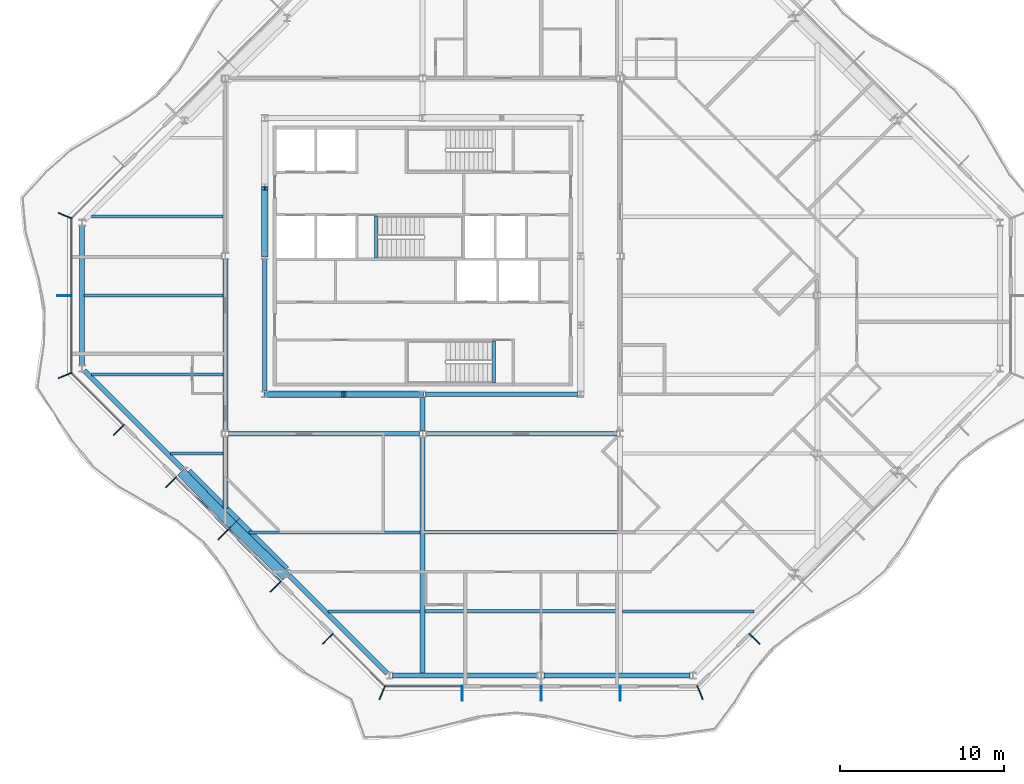
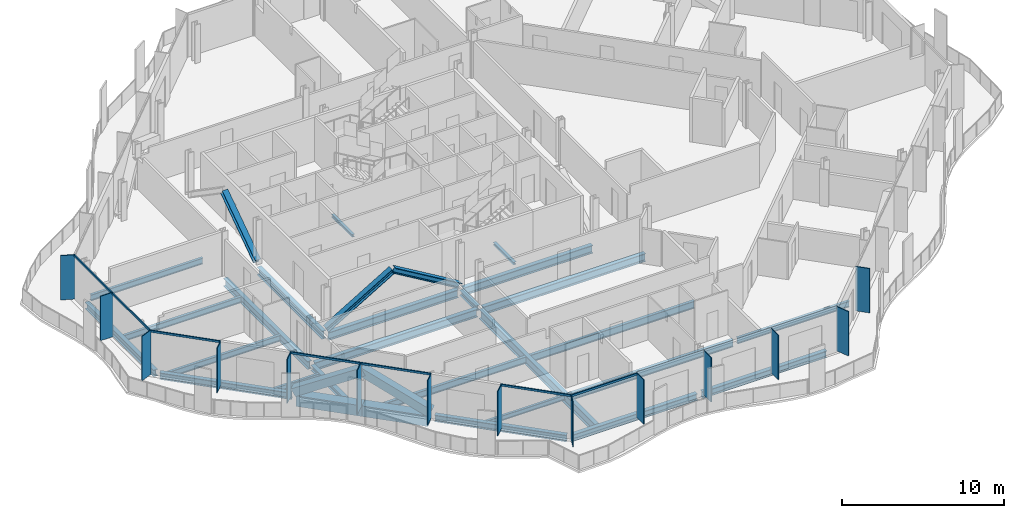
# One storey, part 3 of 17: 27 beams, 26 members, 4 elements without a shape of their own.
"""IFC4 building model written with IfcOpenShell, lengths in metres."""

from ifc_helpers import new_model, si_unit, direction, frame, origin, origin_2d, place, context, subcontext, project, spatial, rectangle, hollow_rectangle, i_section, extrude, material, material_profile, profile_set, type_object, element, aggregate, save


model = new_model("IFC4")

# Units and contexts
model_context = context("Model", 3, precision=1e-05, world=origin(), true_north=direction((0.0, 1.0)))
body_context = subcontext(model_context, "Body", "Model", "MODEL_VIEW")
ifc_project = project(units=[si_unit("LENGTHUNIT", "METRE"), si_unit("AREAUNIT", "SQUARE_METRE"), si_unit("VOLUMEUNIT", "CUBIC_METRE"), si_unit("PLANEANGLEUNIT", "RADIAN"), si_unit("MASSUNIT", "GRAM", prefix="KILO")], contexts=[model_context])

# Site, building, storey
site_placement = place(None, origin())
site = spatial("IfcSite", under=ifc_project, at=site_placement, CompositionType="ELEMENT")
building_placement = place(site_placement, origin())
building = spatial("IfcBuilding", under=site, at=building_placement, Name="Cairn Pilgrim Tower", CompositionType="ELEMENT")
storey_placement = place(building_placement, frame((0.0, 0.0, 257.39990234375)))
storey = spatial("IfcBuildingStorey", under=building, at=storey_placement, Name="L66", CompositionType="ELEMENT", Elevation=257.39990234375)

# Members
ifc_material_1 = material(Name="Structural steel S460M", Category="steel")
ifc_material_profile_1 = material_profile(ifc_material_1, hollow_rectangle(XDim=0.60009765625, YDim=0.60009765625, WallThickness=0.034912109375, at=origin_2d()), Name="BOX 600x600x35")
ifc_profile_set_1 = profile_set([ifc_material_profile_1], Name="Structural steel S460M")
member_type_1 = type_object("IfcMemberType", Name="BOX 600x600x35 BRACE", PredefinedType="BRACE", material=ifc_profile_set_1)
member_1_placement = place(storey_placement, frame((-7.394775390625, -10.813232421875, 0.150146484375), z_axis=(0.612826442302, -0.631177393557, 0.475456464335), x_axis=(0.717459625139, 0.696600090652, 0.0)))
element("IfcMember", 1, at=member_1_placement, inside=storey, type_object=member_type_1, Name="XB-SW2-SW3-1", PredefinedType="BRACE", context=body_context, shape_type="SweptSolid", body=[
    extrude(hollow_rectangle(XDim=0.60009765625, YDim=0.60009765625, WallThickness=0.034912109375, at=origin_2d()), origin(), (0.0, 0.0, 1.0), 5.1220703125),
])
member_2_placement = place(storey_placement, frame((-1.213134765625, -16.99462890625, 0.150146484375), z_axis=(-0.6311958305, 0.612796677006, 0.475470352608), x_axis=(-0.696572199695, -0.717486704136, 0.0)))
element("IfcMember", 2, at=member_2_placement, inside=storey, type_object=member_type_1, Name="XB-SW2-SW3-2", PredefinedType="BRACE", context=body_context, shape_type="SweptSolid", body=[
    extrude(hollow_rectangle(XDim=0.60009765625, YDim=0.60009765625, WallThickness=0.034912109375, at=origin_2d()), origin(), (0.0, 0.0, 1.0), 5.121826171875),
])

# Beams
ifc_material_2 = material(Name="Structural steel S355J2", Category="steel")
ifc_material_profile_2 = material_profile(ifc_material_2, hollow_rectangle(XDim=0.699951171875, YDim=0.800048828125, WallThickness=0.0400390625, at=origin_2d()), Name="BOX 700x800x40")
ifc_profile_set_2 = profile_set([ifc_material_profile_2], Name="Structural steel S355J2")
beam_type_1 = type_object("IfcBeamType", Name="BOX 700x800x40 RING GIRDER", PredefinedType="SPANDREL", material=ifc_profile_set_2)
for number, where, z_axis, x_axis, name in (
    (3, (-7.147216796875, -10.780029296875, -0.5498046875), (0.707106781187, -0.707106781187, 0.0), (0.707106781187, 0.707106781187, 0.0), "RG3-SW2-SW3-1"),
    (4, (-4.16357421875, -13.763671875, -0.5498046875), (0.707106781187, -0.707106781187, 0.0), (0.707106781187, 0.707106781187, 0.0), "RG3-SW2-SW3-2"),
):
    element("IfcBeam", number, at=place(storey_placement, frame(where, z_axis=z_axis, x_axis=x_axis)), inside=storey, type_object=beam_type_1, Name=name, PredefinedType="SPANDREL", context=body_context, shape_type="SweptSolid", body=[
        extrude(hollow_rectangle(XDim=0.699951171875, YDim=0.800048828125, WallThickness=0.0400390625, at=origin_2d()), origin(), (0.0, 0.0, 1.0), 4.219482421875),
    ])

# Curtain wall, members
ifc_material_3 = material(Name="Aluminium alloy 6063-T6 bronze anodised with Bronze tinted laminated low-E glass 8+16+8.8", Category="aluminium")
curtain_wall_type_1 = type_object("IfcCurtainWallType", Name="TOWER STICK CURTAIN WALL NS", PredefinedType="NOTDEFINED", material=ifc_material_3)
curtain_wall_1_placement = place(storey_placement, origin())
curtain_wall_1 = element("IfcCurtainWall", 5, at=curtain_wall_1_placement, inside=storey, type_object=curtain_wall_type_1, Name="Tower Stick Curtain Wall Ns S", PredefinedType="NOTDEFINED")
ifc_material_4 = material(Name="Aluminium alloy 6063-T6 bronze anodised", Category="aluminium")
ifc_material_profile_3 = material_profile(ifc_material_4, rectangle(XDim=0.89990234375, YDim=0.06005859375, at=origin_2d()), Name="FIN MULLION 60x900 BRONZE")
ifc_profile_set_3 = profile_set([ifc_material_profile_3], Name="Aluminium alloy 6063-T6 bronze anodised")
member_type_2 = type_object("IfcMemberType", Name="FIN MULLION 60x900 BRONZE", PredefinedType="MULLION", material=ifc_profile_set_3)
member_3_placement = place(storey_placement, frame((4.742919921875, -24.137939453125, 0.0), z_axis=(0.0, 0.0, 1.0), x_axis=(-0.382683432365, -0.923879532511, 0.0)))
member_3 = element("IfcMember", 6, at=member_3_placement, type_object=member_type_2, Name="Fin mullion S1", PredefinedType="MULLION", context=body_context, shape_type="SweptSolid", body=[
    extrude(rectangle(XDim=0.89990234375, YDim=0.06005859375, at=origin_2d()), origin(), (0.0, 0.0, 1.0), 3.35009765625),
])
member_4_placement = place(storey_placement, frame((9.60009765625, -24.169921875, 0.0), z_axis=(0.0, 0.0, 1.0), x_axis=(0.0, -1.0, 0.0)))
member_4 = element("IfcMember", 7, at=member_4_placement, type_object=member_type_2, Name="Fin mullion S2", PredefinedType="MULLION", context=body_context, shape_type="SweptSolid", body=[
    extrude(rectangle(XDim=0.89990234375, YDim=0.06005859375, at=origin_2d()), origin(), (0.0, 0.0, 1.0), 3.35009765625),
])
member_5_placement = place(storey_placement, frame((14.39990234375, -24.169921875, 0.0), z_axis=(0.0, 0.0, 1.0), x_axis=(0.0, -1.0, 0.0)))
member_5 = element("IfcMember", 8, at=member_5_placement, type_object=member_type_2, Name="Fin mullion S3", PredefinedType="MULLION", context=body_context, shape_type="SweptSolid", body=[
    extrude(rectangle(XDim=0.89990234375, YDim=0.06005859375, at=origin_2d()), origin(), (0.0, 0.0, 1.0), 3.35009765625),
])
member_6_placement = place(storey_placement, frame((19.199951171875, -24.169921875, 0.0), z_axis=(0.0, 0.0, 1.0), x_axis=(0.0, -1.0, 0.0)))
member_6 = element("IfcMember", 9, at=member_6_placement, type_object=member_type_2, Name="Fin mullion S4", PredefinedType="MULLION", context=body_context, shape_type="SweptSolid", body=[
    extrude(rectangle(XDim=0.89990234375, YDim=0.06005859375, at=origin_2d()), origin(), (0.0, 0.0, 1.0), 3.35009765625),
])

curtain_wall_type_2 = type_object("IfcCurtainWallType", Name="CHAMFER CORNER CURTAIN WALL", PredefinedType="NOTDEFINED", material=ifc_material_3)
curtain_wall_2_placement = place(storey_placement, origin())
curtain_wall_2 = element("IfcCurtainWall", 10, at=curtain_wall_2_placement, inside=storey, type_object=curtain_wall_type_2, Name="Chamfer Corner Curtain Wall SE", PredefinedType="NOTDEFINED")
member_7_placement = place(storey_placement, frame((24.05712890625, -24.137939453125, 0.0), z_axis=(0.0, 0.0, 1.0), x_axis=(0.382683432365, -0.923879532511, 0.0)))
member_7 = element("IfcMember", 11, at=member_7_placement, type_object=member_type_2, Name="Fin mullion SE1", PredefinedType="MULLION", context=body_context, shape_type="SweptSolid", body=[
    extrude(rectangle(XDim=0.89990234375, YDim=0.06005859375, at=origin_2d()), origin(), (0.0, 0.0, 1.0), 3.35009765625),
])
member_8_placement = place(storey_placement, frame((27.369140625, -20.871337890625, 0.0), z_axis=(0.0, 0.0, 1.0), x_axis=(0.707106781187, -0.707106781187, 0.0)))
member_8 = element("IfcMember", 12, at=member_8_placement, type_object=member_type_2, Name="Fin mullion SE2", PredefinedType="MULLION", context=body_context, shape_type="SweptSolid", body=[
    extrude(rectangle(XDim=0.89990234375, YDim=0.06005859375, at=origin_2d()), origin(), (0.0, 0.0, 1.0), 3.35009765625),
])
aggregate(curtain_wall_2, [member_7, member_8])

curtain_wall_type_3 = type_object("IfcCurtainWallType", Name="TOWER STICK CURTAIN WALL EW", PredefinedType="NOTDEFINED", material=ifc_material_3)
curtain_wall_3_placement = place(storey_placement, origin())
curtain_wall_3 = element("IfcCurtainWall", 13, at=curtain_wall_3_placement, inside=storey, type_object=curtain_wall_type_3, Name="Tower Stick Curtain Wall Ew W", PredefinedType="NOTDEFINED")
member_9_placement = place(storey_placement, frame((-14.5380859375, 4.857177734375, 0.0), z_axis=(0.0, 0.0, 1.0), x_axis=(-0.923879532511, 0.382683432365, 0.0)))
member_9 = element("IfcMember", 14, at=member_9_placement, type_object=member_type_2, Name="Fin mullion W1", PredefinedType="MULLION", context=body_context, shape_type="SweptSolid", body=[
    extrude(rectangle(XDim=0.89990234375, YDim=0.06005859375, at=origin_2d()), origin(), (0.0, 0.0, 1.0), 3.35009765625),
])
member_10_placement = place(storey_placement, frame((-14.570068359375, 0.0, 0.0), z_axis=(0.0, 0.0, 1.0), x_axis=(-1.0, 0.0, 0.0)))
member_10 = element("IfcMember", 15, at=member_10_placement, type_object=member_type_2, Name="Fin mullion W2", PredefinedType="MULLION", context=body_context, shape_type="SweptSolid", body=[
    extrude(rectangle(XDim=0.89990234375, YDim=0.06005859375, at=origin_2d()), origin(), (0.0, 0.0, 1.0), 3.35009765625),
])

curtain_wall_4_placement = place(storey_placement, origin())
curtain_wall_4 = element("IfcCurtainWall", 16, at=curtain_wall_4_placement, inside=storey, type_object=curtain_wall_type_2, Name="Chamfer Corner Curtain Wall SW", PredefinedType="NOTDEFINED")
member_11_placement = place(storey_placement, frame((-14.5380859375, -4.857177734375, 0.0), z_axis=(0.0, 0.0, 1.0), x_axis=(-0.923879532511, -0.382683432365, 0.0)))
member_11 = element("IfcMember", 17, at=member_11_placement, type_object=member_type_2, Name="Fin mullion SW1", PredefinedType="MULLION", context=body_context, shape_type="SweptSolid", body=[
    extrude(rectangle(XDim=0.89990234375, YDim=0.06005859375, at=origin_2d()), origin(), (0.0, 0.0, 1.0), 3.35009765625),
])
member_12_placement = place(storey_placement, frame((-11.271484375, -8.1689453125, 0.0), z_axis=(0.0, 0.0, 1.0), x_axis=(-0.707106781187, -0.707106781187, 0.0)))
member_12 = element("IfcMember", 18, at=member_12_placement, type_object=member_type_2, Name="Fin mullion SW2", PredefinedType="MULLION", context=body_context, shape_type="SweptSolid", body=[
    extrude(rectangle(XDim=0.89990234375, YDim=0.06005859375, at=origin_2d()), origin(), (0.0, 0.0, 1.0), 3.35009765625),
])
member_13_placement = place(storey_placement, frame((-8.095703125, -11.3447265625, 0.0), z_axis=(0.0, 0.0, 1.0), x_axis=(-0.707106781187, -0.707106781187, 0.0)))
member_13 = element("IfcMember", 19, at=member_13_placement, type_object=member_type_2, Name="Fin mullion SW3", PredefinedType="MULLION", context=body_context, shape_type="SweptSolid", body=[
    extrude(rectangle(XDim=0.89990234375, YDim=0.06005859375, at=origin_2d()), origin(), (0.0, 0.0, 1.0), 3.35009765625),
])
member_14_placement = place(storey_placement, frame((-4.920166015625, -14.520263671875, 0.0), z_axis=(0.0, 0.0, 1.0), x_axis=(-0.707106781187, -0.707106781187, 0.0)))
member_14 = element("IfcMember", 20, at=member_14_placement, type_object=member_type_2, Name="Fin mullion SW4", PredefinedType="MULLION", context=body_context, shape_type="SweptSolid", body=[
    extrude(rectangle(XDim=0.89990234375, YDim=0.06005859375, at=origin_2d()), origin(), (0.0, 0.0, 1.0), 3.35009765625),
])
member_15_placement = place(storey_placement, frame((-1.74462890625, -17.69580078125, 0.0), z_axis=(0.0, 0.0, 1.0), x_axis=(-0.707106781187, -0.707106781187, 0.0)))
member_15 = element("IfcMember", 21, at=member_15_placement, type_object=member_type_2, Name="Fin mullion SW5", PredefinedType="MULLION", context=body_context, shape_type="SweptSolid", body=[
    extrude(rectangle(XDim=0.89990234375, YDim=0.06005859375, at=origin_2d()), origin(), (0.0, 0.0, 1.0), 3.35009765625),
])
member_16_placement = place(storey_placement, frame((1.430908203125, -20.871337890625, 0.0), z_axis=(0.0, 0.0, 1.0), x_axis=(-0.707106781187, -0.707106781187, 0.0)))
member_16 = element("IfcMember", 22, at=member_16_placement, type_object=member_type_2, Name="Fin mullion SW6", PredefinedType="MULLION", context=body_context, shape_type="SweptSolid", body=[
    extrude(rectangle(XDim=0.89990234375, YDim=0.06005859375, at=origin_2d()), origin(), (0.0, 0.0, 1.0), 3.35009765625),
])

# Members
ifc_material_profile_4 = material_profile(ifc_material_2, i_section(OverallWidth=0.39794921875, OverallDepth=0.386962890625, WebThickness=0.02099609375, FlangeThickness=0.033203125, FilletRadius=0.014892578125, at=origin_2d()), Name="HD 400x262")
ifc_profile_set_4 = profile_set([ifc_material_profile_4], Name="Structural steel S355J2")
member_type_3 = type_object("IfcMemberType", Name="HD 400x262 BRACE", PredefinedType="BRACE", material=ifc_profile_set_4)
for number, where, z_axis, x_axis, name in (
    (23, (-2.360107421875, -6.0, 0.10009765625), (0.859702744807, 0.0, 0.510794665763), (0.0, 1.0, 0.0), "KB-1A"),
    (24, (7.16015625, -6.0, 0.10009765625), (-0.859702744807, 0.0, 0.510794665763), (0.0, -1.0, 0.0), "KB-1B"),
):
    element("IfcMember", number, at=place(storey_placement, frame(where, z_axis=z_axis, x_axis=x_axis)), inside=storey, type_object=member_type_3, Name=name, PredefinedType="BRACE", context=body_context, shape_type="SweptSolid", body=[
        extrude(i_section(OverallWidth=0.39794921875, OverallDepth=0.386962890625, WebThickness=0.02099609375, FlangeThickness=0.033203125, FilletRadius=0.014892578125, at=origin_2d()), origin(), (0.0, 0.0, 1.0), 5.488037109375),
    ])
member_17_placement = place(storey_placement, frame((-2.39990234375, 2.439697265625, 0.10009765625), z_axis=(0.0, 0.824450211755, 0.565934491207), x_axis=(-1.0, 0.0, 0.0)))
element("IfcMember", 25, at=member_17_placement, inside=storey, type_object=member_type_3, Name="KB-4B", PredefinedType="BRACE", context=body_context, shape_type="SweptSolid", body=[
    extrude(i_section(OverallWidth=0.39794921875, OverallDepth=0.386962890625, WebThickness=0.02099609375, FlangeThickness=0.033203125, FilletRadius=0.014892578125, at=origin_2d()), origin(), (0.0, 0.0, 1.0), 4.952392578125),
])

# Beams
ifc_material_profile_5 = material_profile(ifc_material_2, i_section(OverallWidth=0.300048828125, OverallDepth=0.39990234375, WebThickness=0.013427734375, FlangeThickness=0.02392578125, FilletRadius=0.027099609375, at=origin_2d()), Name="HEB 400")
ifc_profile_set_5 = profile_set([ifc_material_profile_5], Name="Structural steel S355J2")
beam_type_2 = type_object("IfcBeamType", Name="HEB 400 GIRDER", PredefinedType="BEAM", material=ifc_profile_set_5)
beam_1_placement = place(storey_placement, frame((-4.800048828125, -12.945068359375, -0.349853515625), z_axis=(0.0, 1.0, 0.0), x_axis=(-1.0, 0.0, 0.0)))
element("IfcBeam", 26, at=beam_1_placement, inside=storey, type_object=beam_type_2, Name="PG2-1", PredefinedType="BEAM", context=body_context, shape_type="SweptSolid", body=[
    extrude(i_section(OverallWidth=0.300048828125, OverallDepth=0.39990234375, WebThickness=0.013427734375, FlangeThickness=0.02392578125, FilletRadius=0.027099609375, at=origin_2d()), origin(), (0.0, 0.0, 1.0), 4.34814453125),
])
beam_2_placement = place(storey_placement, frame((7.199951171875, -8.202880859375, -0.349853515625), z_axis=(0.0, 1.0, 0.0), x_axis=(-1.0, 0.0, 0.0)))
element("IfcBeam", 27, at=beam_2_placement, inside=storey, type_object=beam_type_2, Name="PG3-E1", PredefinedType="BEAM", context=body_context, shape_type="SweptSolid", body=[
    extrude(i_section(OverallWidth=0.300048828125, OverallDepth=0.39990234375, WebThickness=0.013427734375, FlangeThickness=0.02392578125, FilletRadius=0.027099609375, at=origin_2d()), origin(), (0.0, 0.0, 1.0), 2.00390625),
])
ifc_material_profile_6 = material_profile(ifc_material_2, i_section(OverallWidth=0.300048828125, OverallDepth=0.5, WebThickness=0.014404296875, FlangeThickness=0.028076171875, FilletRadius=0.027099609375, at=origin_2d()), Name="HEB 500")
ifc_profile_set_6 = profile_set([ifc_material_profile_6], Name="Structural steel S355J2")
beam_type_3 = type_object("IfcBeamType", Name="HEB 500 RING GIRDER", PredefinedType="SPANDREL", material=ifc_profile_set_6)
beam_3_placement = place(storey_placement, frame((5.3544921875, -23.10009765625, -0.39990234375), z_axis=(1.0, 0.0, 0.0), x_axis=(0.0, 1.0, 0.0)))
element("IfcBeam", 28, at=beam_3_placement, inside=storey, type_object=beam_type_3, Name="RG3-S1-S2", PredefinedType="SPANDREL", context=body_context, shape_type="SweptSolid", body=[
    extrude(i_section(OverallWidth=0.300048828125, OverallDepth=0.5, WebThickness=0.014404296875, FlangeThickness=0.028076171875, FilletRadius=0.027099609375, at=origin_2d()), origin(), (0.0, 0.0, 1.0), 8.86376953125),
])
beam_4_placement = place(storey_placement, frame((14.581787109375, -23.10009765625, -0.39990234375), z_axis=(1.0, 0.0, 0.0), x_axis=(0.0, 1.0, 0.0)))
element("IfcBeam", 29, at=beam_4_placement, inside=storey, type_object=beam_type_3, Name="RG3-S2-SE1", PredefinedType="SPANDREL", context=body_context, shape_type="SweptSolid", body=[
    extrude(i_section(OverallWidth=0.300048828125, OverallDepth=0.5, WebThickness=0.014404296875, FlangeThickness=0.028076171875, FilletRadius=0.027099609375, at=origin_2d()), origin(), (0.0, 0.0, 1.0), 8.863525390625),
])
beam_5_placement = place(storey_placement, frame((-13.5, 4.245361328125, -0.39990234375), z_axis=(0.0, -1.0, 0.0), x_axis=(1.0, 0.0, 0.0)))
element("IfcBeam", 30, at=beam_5_placement, inside=storey, type_object=beam_type_3, Name="RG3-W1-SW1", PredefinedType="SPANDREL", context=body_context, shape_type="SweptSolid", body=[
    extrude(i_section(OverallWidth=0.300048828125, OverallDepth=0.5, WebThickness=0.014404296875, FlangeThickness=0.028076171875, FilletRadius=0.027099609375, at=origin_2d()), origin(), (0.0, 0.0, 1.0), 8.49072265625),
])
for number, where, z_axis, x_axis, name in (
    (31, (-13.371337890625, -4.555908203125, -0.39990234375), (0.707106781187, -0.707106781187, 0.0), (0.707106781187, 0.707106781187, 0.0), "RG3-SW1-SW2"),
    (32, (-0.9228515625, -17.00439453125, -0.39990234375), (0.707106781187, -0.707106781187, 0.0), (0.707106781187, 0.707106781187, 0.0), "RG3-SW3-S1"),
):
    element("IfcBeam", number, at=place(storey_placement, frame(where, z_axis=z_axis, x_axis=x_axis)), inside=storey, type_object=beam_type_3, Name=name, PredefinedType="SPANDREL", context=body_context, shape_type="SweptSolid", body=[
        extrude(i_section(OverallWidth=0.300048828125, OverallDepth=0.5, WebThickness=0.014404296875, FlangeThickness=0.028076171875, FilletRadius=0.027099609375, at=origin_2d()), origin(), (0.0, 0.0, 1.0), 8.438720703125),
    ])
ifc_material_profile_7 = material_profile(ifc_material_2, i_section(OverallWidth=0.300048828125, OverallDepth=0.60009765625, WebThickness=0.015380859375, FlangeThickness=0.030029296875, FilletRadius=0.027099609375, at=origin_2d()), Name="HEB 600")
ifc_profile_set_7 = profile_set([ifc_material_profile_7], Name="Structural steel S355J2")
beam_type_4 = type_object("IfcBeamType", Name="HEB 600 CORE BEAM", PredefinedType="BEAM", material=ifc_profile_set_7)
beam_6_placement = place(storey_placement, frame((-2.220947265625, -6.0, -0.449951171875), z_axis=(1.0, 0.0, 0.0), x_axis=(0.0, 1.0, 0.0)))
element("IfcBeam", 33, at=beam_6_placement, inside=storey, type_object=beam_type_4, Name="CB-1", PredefinedType="BEAM", context=body_context, shape_type="SweptSolid", body=[
    extrude(i_section(OverallWidth=0.300048828125, OverallDepth=0.60009765625, WebThickness=0.015380859375, FlangeThickness=0.030029296875, FilletRadius=0.027099609375, at=origin_2d()), origin(), (0.0, 0.0, 1.0), 9.241943359375),
])
beam_7_placement = place(storey_placement, frame((7.379150390625, -6.0, -0.449951171875), z_axis=(1.0, 0.0, 0.0), x_axis=(0.0, 1.0, 0.0)))
element("IfcBeam", 34, at=beam_7_placement, inside=storey, type_object=beam_type_4, Name="CB-2", PredefinedType="BEAM", context=body_context, shape_type="SweptSolid", body=[
    extrude(i_section(OverallWidth=0.300048828125, OverallDepth=0.60009765625, WebThickness=0.015380859375, FlangeThickness=0.030029296875, FilletRadius=0.027099609375, at=origin_2d()), origin(), (0.0, 0.0, 1.0), 9.24169921875),
])
beam_8_placement = place(storey_placement, frame((-2.39990234375, 2.220947265625, -0.449951171875), z_axis=(0.0, -1.0, 0.0), x_axis=(1.0, 0.0, 0.0)))
element("IfcBeam", 35, at=beam_8_placement, inside=storey, type_object=beam_type_4, Name="CB-8", PredefinedType="BEAM", context=body_context, shape_type="SweptSolid", body=[
    extrude(i_section(OverallWidth=0.300048828125, OverallDepth=0.60009765625, WebThickness=0.015380859375, FlangeThickness=0.030029296875, FilletRadius=0.027099609375, at=origin_2d()), origin(), (0.0, 0.0, 1.0), 8.041748046875),
])
ifc_material_profile_8 = material_profile(ifc_material_2, i_section(OverallWidth=0.300048828125, OverallDepth=0.60009765625, WebThickness=0.015380859375, FlangeThickness=0.030029296875, FilletRadius=0.027099609375, at=origin_2d()), Name="HEB 600")
ifc_profile_set_8 = profile_set([ifc_material_profile_8], Name="Structural steel S355J2")
beam_type_5 = type_object("IfcBeamType", Name="HEB 600 GIRDER", PredefinedType="BEAM", material=ifc_profile_set_8)
beam_9_placement = place(storey_placement, frame((-4.800048828125, -8.202880859375, -0.449951171875), z_axis=(0.0, 1.0, 0.0), x_axis=(-1.0, 0.0, 0.0)))
element("IfcBeam", 36, at=beam_9_placement, inside=storey, type_object=beam_type_5, Name="PG2-2", PredefinedType="BEAM", context=body_context, shape_type="SweptSolid", body=[
    extrude(i_section(OverallWidth=0.300048828125, OverallDepth=0.60009765625, WebThickness=0.015380859375, FlangeThickness=0.030029296875, FilletRadius=0.027099609375, at=origin_2d()), origin(), (0.0, 0.0, 1.0), 10.40576171875),
])
ifc_material_profile_9 = material_profile(ifc_material_2, i_section(OverallWidth=0.300048828125, OverallDepth=0.60009765625, WebThickness=0.015380859375, FlangeThickness=0.030029296875, FilletRadius=0.027099609375, at=origin_2d()), Name="HEB 600")
ifc_profile_set_9 = profile_set([ifc_material_profile_9], Name="Structural steel S355J2")
beam_type_6 = type_object("IfcBeamType", Name="HEB 600 INNER GIRDER", PredefinedType="BEAM", material=ifc_profile_set_9)
for number, where, z_axis, x_axis, name in (
    (37, (-4.60302734375, -8.39990234375, -0.449951171875), (1.0, 0.0, 0.0), (0.0, 1.0, 0.0), "IG1-1"),
    (38, (7.39697265625, -8.39990234375, -0.449951171875), (1.0, 0.0, 0.0), (0.0, 1.0, 0.0), "IG1-2"),
):
    element("IfcBeam", number, at=place(storey_placement, frame(where, z_axis=z_axis, x_axis=x_axis)), inside=storey, type_object=beam_type_6, Name=name, PredefinedType="BEAM", context=body_context, shape_type="SweptSolid", body=[
        extrude(i_section(OverallWidth=0.300048828125, OverallDepth=0.60009765625, WebThickness=0.015380859375, FlangeThickness=0.030029296875, FilletRadius=0.027099609375, at=origin_2d()), origin(), (0.0, 0.0, 1.0), 11.60595703125),
    ])
ifc_material_profile_10 = material_profile(ifc_material_2, i_section(OverallWidth=0.300048828125, OverallDepth=0.699951171875, WebThickness=0.01708984375, FlangeThickness=0.031982421875, FilletRadius=0.027099609375, at=origin_2d()), Name="HEB 700")
ifc_profile_set_10 = profile_set([ifc_material_profile_10], Name="Structural steel S355J2")
beam_type_7 = type_object("IfcBeamType", Name="HEB 700 GIRDER", PredefinedType="BEAM", material=ifc_profile_set_10)
beam_10_placement = place(storey_placement, frame((7.199951171875, -22.97998046875, -0.5), z_axis=(0.0, 1.0, 0.0), x_axis=(-1.0, 0.0, 0.0)))
element("IfcBeam", 39, at=beam_10_placement, inside=storey, type_object=beam_type_7, Name="PG3-1", PredefinedType="BEAM", context=body_context, shape_type="SweptSolid", body=[
    extrude(i_section(OverallWidth=0.300048828125, OverallDepth=0.699951171875, WebThickness=0.01708984375, FlangeThickness=0.031982421875, FilletRadius=0.027099609375, at=origin_2d()), origin(), (0.0, 0.0, 1.0), 14.383056640625),
])
ifc_material_profile_11 = material_profile(ifc_material_2, i_section(OverallWidth=0.169921875, OverallDepth=0.360107421875, WebThickness=0.008056640625, FlangeThickness=0.0126953125, FilletRadius=0.01806640625, at=origin_2d()), Name="IPE 360")
ifc_profile_set_11 = profile_set([ifc_material_profile_11], Name="Structural steel S355J2")
beam_type_8 = type_object("IfcBeamType", Name="IPE 360 SECONDARY BEAM", PredefinedType="JOIST", material=ifc_profile_set_11)
beam_11_placement = place(storey_placement, frame((1.454833984375, -19.199951171875, -0.329833984375), z_axis=(1.0, 0.0, 0.0), x_axis=(0.0, 1.0, 0.0)))
element("IfcBeam", 40, at=beam_11_placement, inside=storey, type_object=beam_type_8, Name="SB1-1", PredefinedType="JOIST", context=body_context, shape_type="SweptSolid", body=[
    extrude(i_section(OverallWidth=0.169921875, OverallDepth=0.360107421875, WebThickness=0.008056640625, FlangeThickness=0.0126953125, FilletRadius=0.01806640625, at=origin_2d()), origin(), (0.0, 0.0, 1.0), 5.59521484375),
])
beam_12_placement = place(storey_placement, frame((-8.14501953125, -9.60009765625, -0.329833984375), z_axis=(1.0, 0.0, 0.0), x_axis=(0.0, 1.0, 0.0)))
element("IfcBeam", 41, at=beam_12_placement, inside=storey, type_object=beam_type_8, Name="SB3-1", PredefinedType="JOIST", context=body_context, shape_type="SweptSolid", body=[
    extrude(i_section(OverallWidth=0.169921875, OverallDepth=0.360107421875, WebThickness=0.008056640625, FlangeThickness=0.0126953125, FilletRadius=0.01806640625, at=origin_2d()), origin(), (0.0, 0.0, 1.0), 3.195068359375),
])
ifc_material_profile_12 = material_profile(ifc_material_2, i_section(OverallWidth=0.18994140625, OverallDepth=0.449951171875, WebThickness=0.009521484375, FlangeThickness=0.0146484375, FilletRadius=0.02099609375, at=origin_2d()), Name="IPE 450")
ifc_profile_set_12 = profile_set([ifc_material_profile_12], Name="Structural steel S355J2")
beam_type_9 = type_object("IfcBeamType", Name="IPE 450 SECONDARY BEAM", PredefinedType="JOIST", material=ifc_profile_set_12)
for number, where, z_axis, x_axis, name in (
    (42, (19.35009765625, -19.199951171875, -0.375), (1.0, 0.0, 0.0), (0.0, 1.0, 0.0), "SB1-3"),
    (43, (-12.945068359375, -4.800048828125, -0.375), (1.0, 0.0, 0.0), (0.0, 1.0, 0.0), "SB4-1"),
):
    element("IfcBeam", number, at=place(storey_placement, frame(where, z_axis=z_axis, x_axis=x_axis)), inside=storey, type_object=beam_type_9, Name=name, PredefinedType="JOIST", context=body_context, shape_type="SweptSolid", body=[
        extrude(i_section(OverallWidth=0.18994140625, OverallDepth=0.449951171875, WebThickness=0.009521484375, FlangeThickness=0.0146484375, FilletRadius=0.02099609375, at=origin_2d()), origin(), (0.0, 0.0, 1.0), 7.9951171875),
    ])
beam_13_placement = place(storey_placement, frame((-13.3798828125, 0.0, -0.375), z_axis=(1.0, 0.0, 0.0), x_axis=(0.0, 1.0, 0.0)))
element("IfcBeam", 44, at=beam_13_placement, inside=storey, type_object=beam_type_9, Name="SB5-1", PredefinedType="JOIST", context=body_context, shape_type="SweptSolid", body=[
    extrude(i_section(OverallWidth=0.18994140625, OverallDepth=0.449951171875, WebThickness=0.009521484375, FlangeThickness=0.0146484375, FilletRadius=0.02099609375, at=origin_2d()), origin(), (0.0, 0.0, 1.0), 8.429931640625),
])
beam_14_placement = place(storey_placement, frame((-12.945068359375, 4.800048828125, -0.375), z_axis=(1.0, 0.0, 0.0), x_axis=(0.0, 1.0, 0.0)))
element("IfcBeam", 45, at=beam_14_placement, inside=storey, type_object=beam_type_9, Name="SB6-1", PredefinedType="JOIST", context=body_context, shape_type="SweptSolid", body=[
    extrude(i_section(OverallWidth=0.18994140625, OverallDepth=0.449951171875, WebThickness=0.009521484375, FlangeThickness=0.0146484375, FilletRadius=0.02099609375, at=origin_2d()), origin(), (0.0, 0.0, 1.0), 7.9951171875),
])
ifc_material_profile_13 = material_profile(ifc_material_2, i_section(OverallWidth=0.199951171875, OverallDepth=0.5, WebThickness=0.01025390625, FlangeThickness=0.01611328125, FilletRadius=0.02099609375, at=origin_2d()), Name="IPE 500")
ifc_profile_set_13 = profile_set([ifc_material_profile_13], Name="Structural steel S355J2")
beam_type_10 = type_object("IfcBeamType", Name="IPE 500 SECONDARY BEAM", PredefinedType="JOIST", material=ifc_profile_set_13)
beam_15_placement = place(storey_placement, frame((-3.34521484375, -14.39990234375, -0.39990234375), z_axis=(1.0, 0.0, 0.0), x_axis=(0.0, 1.0, 0.0)))
element("IfcBeam", 46, at=beam_15_placement, inside=storey, type_object=beam_type_10, Name="SB2-1", PredefinedType="JOIST", context=body_context, shape_type="SweptSolid", body=[
    extrude(i_section(OverallWidth=0.199951171875, OverallDepth=0.5, WebThickness=0.01025390625, FlangeThickness=0.01611328125, FilletRadius=0.02099609375, at=origin_2d()), origin(), (0.0, 0.0, 1.0), 10.395263671875),
])
ifc_material_profile_14 = material_profile(ifc_material_2, i_section(OverallWidth=0.2099609375, OverallDepth=0.550048828125, WebThickness=0.010986328125, FlangeThickness=0.01708984375, FilletRadius=0.02392578125, at=origin_2d()), Name="IPE 550")
ifc_profile_set_14 = profile_set([ifc_material_profile_14], Name="Structural steel S355J2")
beam_type_11 = type_object("IfcBeamType", Name="IPE 550 SECONDARY BEAM", PredefinedType="JOIST", material=ifc_profile_set_14)
for number, where, z_axis, x_axis, name in (
    (47, (7.35009765625, -19.199951171875, -0.4248046875), (1.0, 0.0, 0.0), (0.0, 1.0, 0.0), "SB1-2"),
    (48, (7.35009765625, -14.39990234375, -0.4248046875), (1.0, 0.0, 0.0), (0.0, 1.0, 0.0), "SB2-2"),
):
    element("IfcBeam", number, at=place(storey_placement, frame(where, z_axis=z_axis, x_axis=x_axis)), inside=storey, type_object=beam_type_11, Name=name, PredefinedType="JOIST", context=body_context, shape_type="SweptSolid", body=[
        extrude(i_section(OverallWidth=0.2099609375, OverallDepth=0.550048828125, WebThickness=0.010986328125, FlangeThickness=0.01708984375, FilletRadius=0.02392578125, at=origin_2d()), origin(), (0.0, 0.0, 1.0), 11.699951171875),
    ])
ifc_material_profile_15 = material_profile(ifc_material_2, i_section(OverallWidth=0.199951171875, OverallDepth=0.199951171875, WebThickness=0.009033203125, FlangeThickness=0.014892578125, FilletRadius=0.01806640625, at=origin_2d()), Name="HE 200 B")
ifc_profile_set_15 = profile_set([ifc_material_profile_15], Name="Structural steel S355J2")
beam_type_12 = type_object("IfcBeamType", Name="STAIR LANDING BEAM HE 200 B", PredefinedType="BEAM", material=ifc_profile_set_15)
beam_16_placement = place(storey_placement, frame((11.5244140625, -2.77490234375, -0.25), z_axis=(0.0, -1.0, 0.0), x_axis=(1.0, 0.0, 0.0)))
element("IfcBeam", 49, at=beam_16_placement, inside=storey, type_object=beam_type_12, Name="STAIR LANDING BEAM LD-HE200B", PredefinedType="BEAM", context=body_context, shape_type="SweptSolid", body=[
    extrude(i_section(OverallWidth=0.199951171875, OverallDepth=0.199951171875, WebThickness=0.009033203125, FlangeThickness=0.014892578125, FilletRadius=0.01806640625, at=origin_2d()), origin(), (0.0, 0.0, 1.0), 2.525146484375),
])
beam_17_placement = place(storey_placement, frame((4.37548828125, 2.27490234375, -0.25), z_axis=(0.0, 1.0, 0.0), x_axis=(-1.0, 0.0, 0.0)))
element("IfcBeam", 50, at=beam_17_placement, inside=storey, type_object=beam_type_12, Name="STAIR LANDING BEAM LD-HE200B", PredefinedType="BEAM", context=body_context, shape_type="SweptSolid", body=[
    extrude(i_section(OverallWidth=0.199951171875, OverallDepth=0.199951171875, WebThickness=0.009033203125, FlangeThickness=0.014892578125, FilletRadius=0.01806640625, at=origin_2d()), origin(), (0.0, 0.0, 1.0), 2.550048828125),
])

# Member
ifc_material_profile_16 = material_profile(ifc_material_4, rectangle(XDim=0.080078125, YDim=0.14990234375, at=origin_2d()), Name="TRANSOM 80x150 BRONZE")
ifc_profile_set_16 = profile_set([ifc_material_profile_16], Name="Aluminium alloy 6063-T6 bronze anodised")
member_type_4 = type_object("IfcMemberType", Name="TRANSOM 80x150 BRONZE", PredefinedType="USERDEFINED", material=ifc_profile_set_16)
member_18_placement = place(storey_placement, frame((4.943603515625, -23.75, 3.275146484375), z_axis=(1.0, 0.0, 0.0), x_axis=(0.0, 1.0, 0.0)))
member_18 = element("IfcMember", 51, at=member_18_placement, type_object=member_type_4, Name="Transom S1", ObjectType="TRANSOM", PredefinedType="USERDEFINED", context=body_context, shape_type="SweptSolid", body=[
    extrude(rectangle(XDim=0.080078125, YDim=0.14990234375, at=origin_2d()), origin(), (0.0, 0.0, 1.0), 4.62646484375),
])

aggregate(curtain_wall_1, [member_3, member_4, member_5, member_6, member_18])

member_19_placement = place(storey_placement, frame((-14.14990234375, 4.656494140625, 3.275146484375), z_axis=(0.0, -1.0, 0.0), x_axis=(1.0, 0.0, 0.0)))
member_19 = element("IfcMember", 52, at=member_19_placement, type_object=member_type_4, Name="Transom W1", ObjectType="TRANSOM", PredefinedType="USERDEFINED", context=body_context, shape_type="SweptSolid", body=[
    extrude(rectangle(XDim=0.080078125, YDim=0.14990234375, at=origin_2d()), origin(), (0.0, 0.0, 1.0), 4.62646484375),
])

member_20_placement = place(storey_placement, frame((-14.14990234375, -0.030029296875, 3.275146484375), z_axis=(0.0, -1.0, 0.0), x_axis=(1.0, 0.0, 0.0)))
member_20 = element("IfcMember", 53, at=member_20_placement, type_object=member_type_4, Name="Transom W2", ObjectType="TRANSOM", PredefinedType="USERDEFINED", context=body_context, shape_type="SweptSolid", body=[
    extrude(rectangle(XDim=0.080078125, YDim=0.14990234375, at=origin_2d()), origin(), (0.0, 0.0, 1.0), 4.62646484375),
])

aggregate(curtain_wall_3, [member_9, member_10, member_19, member_20])

member_21_placement = place(storey_placement, frame((-14.121826171875, -4.724609375, 3.275146484375), z_axis=(0.707106781187, -0.707106781187, 0.0), x_axis=(0.707106781187, 0.707106781187, 0.0)))
member_21 = element("IfcMember", 54, at=member_21_placement, type_object=member_type_4, Name="Transom SW1", ObjectType="TRANSOM", PredefinedType="USERDEFINED", context=body_context, shape_type="SweptSolid", body=[
    extrude(rectangle(XDim=0.080078125, YDim=0.14990234375, at=origin_2d()), origin(), (0.0, 0.0, 1.0), 4.421142578125),
])

member_22_placement = place(storey_placement, frame((-7.777587890625, -11.06884765625, 3.275146484375), z_axis=(0.707106781187, -0.707106781187, 0.0), x_axis=(0.707106781187, 0.707106781187, 0.0)))
member_22 = element("IfcMember", 55, at=member_22_placement, type_object=member_type_4, Name="Transom SW3", ObjectType="TRANSOM", PredefinedType="USERDEFINED", context=body_context, shape_type="SweptSolid", body=[
    extrude(rectangle(XDim=0.080078125, YDim=0.14990234375, at=origin_2d()), origin(), (0.0, 0.0, 1.0), 4.430908203125),
])

member_23_placement = place(storey_placement, frame((-4.60205078125, -14.244384765625, 3.275146484375), z_axis=(0.707106781187, -0.707106781187, 0.0), x_axis=(0.707106781187, 0.707106781187, 0.0)))
member_23 = element("IfcMember", 56, at=member_23_placement, type_object=member_type_4, Name="Transom SW4", ObjectType="TRANSOM", PredefinedType="USERDEFINED", context=body_context, shape_type="SweptSolid", body=[
    extrude(rectangle(XDim=0.080078125, YDim=0.14990234375, at=origin_2d()), origin(), (0.0, 0.0, 1.0), 4.43115234375),
])

member_24_placement = place(storey_placement, frame((1.749267578125, -20.595703125, 3.275146484375), z_axis=(0.707106781187, -0.707106781187, 0.0), x_axis=(0.707106781187, 0.707106781187, 0.0)))
member_24 = element("IfcMember", 57, at=member_24_placement, type_object=member_type_4, Name="Transom SW6", ObjectType="TRANSOM", PredefinedType="USERDEFINED", context=body_context, shape_type="SweptSolid", body=[
    extrude(rectangle(XDim=0.080078125, YDim=0.14990234375, at=origin_2d()), origin(), (0.0, 0.0, 1.0), 4.4208984375),
])

aggregate(curtain_wall_4, [member_11, member_12, member_13, member_14, member_15, member_16, member_21, member_22, member_23, member_24])

save(model, "model.ifc")
